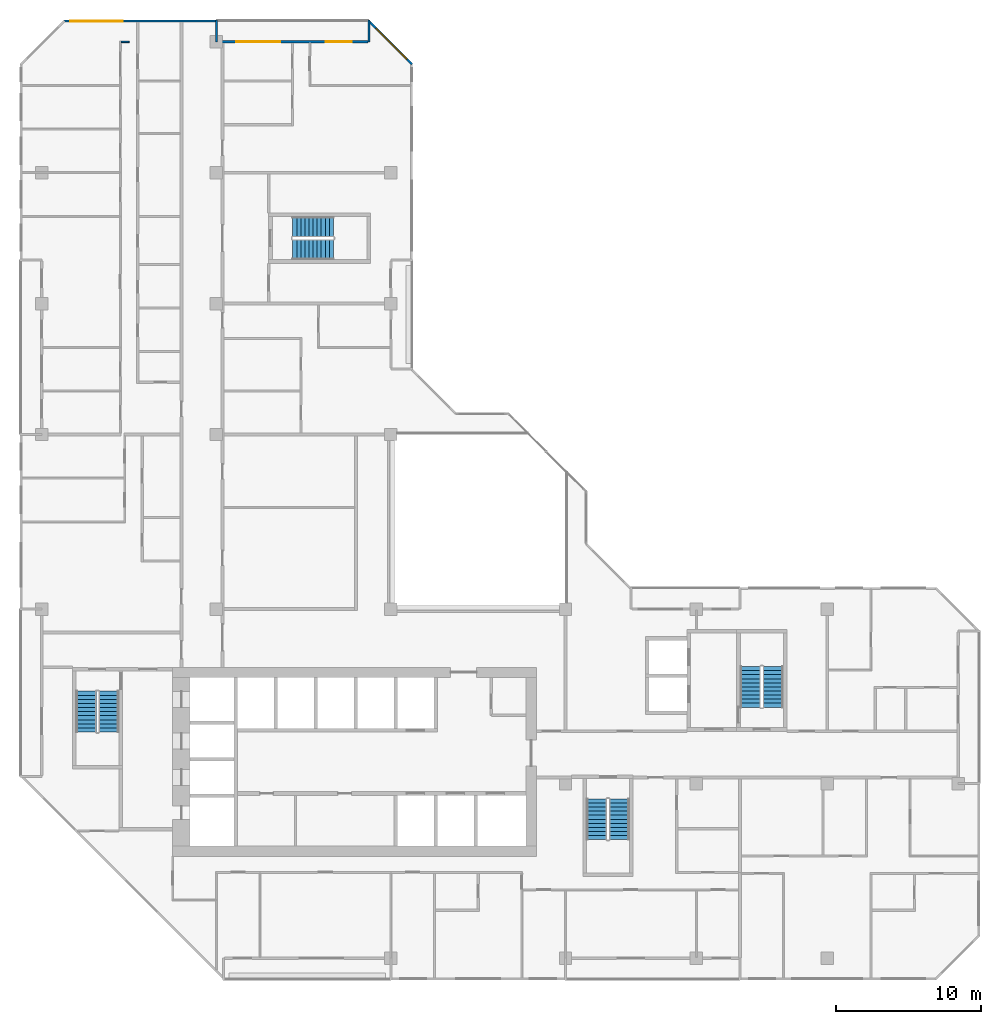
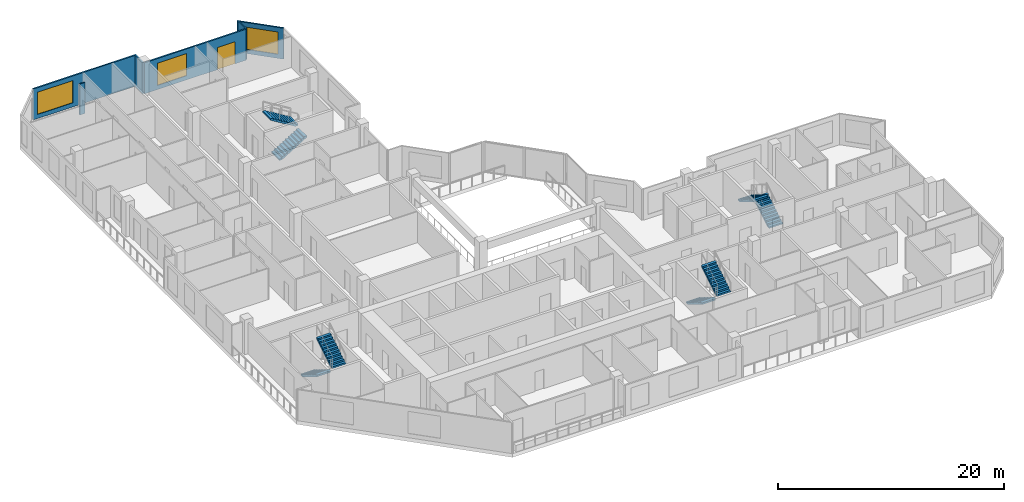
# One storey, part 13 of 15: 8 stair flights, 6 walls, 3 windows, 1 door, 4 openings, 4 elements without a shape of their own.
"""IFC4 building model written with IfcOpenShell, lengths in metres."""

import ifcopenshell
import ifcopenshell.guid

model = None  # the IFC model being written
_history = None  # IfcOwnerHistory: only IFC2X3 demands one
_inside = {}  # id of a spatial element -> (the spatial element, [elements in it])
_under = {}  # id of a project, library or spatial element -> (it, [spatial elements below it])
_declared = {}  # id of a project -> (the project, [libraries it declares])
_typed = {}  # id of a type object -> (the type object, [elements of that type])
_made_of = {}  # id of a material, layer set ... -> (it, [elements and type objects made of it])


def new_model(schema):
    """Start an empty IFC model of exactly this schema.

    Asked for "IFC4X3", IfcOpenShell would pick the latest addendum, in which some entities
    have other attributes; the version numbers below select the first issue.
    IFC2X3 requires an IfcOwnerHistory on every rooted entity: one is made here for all.
    """
    global model, _history
    if schema == "IFC4X3":
        model = ifcopenshell.file(schema_version=(4, 3, 0, 0))
    else:
        model = ifcopenshell.file(schema=schema)
    _inside.clear()
    _under.clear()
    _declared.clear()
    _typed.clear()
    _made_of.clear()
    _history = None
    if model.schema == "IFC2X3":
        org = make("IfcOrganization", Name="unknown")
        user = make(
            "IfcPersonAndOrganization",
            ThePerson=make("IfcPerson", FamilyName="unknown"),
            TheOrganization=org,
        )
        app = make(
            "IfcApplication",
            ApplicationDeveloper=org,
            Version="unknown",
            ApplicationFullName="unknown",
            ApplicationIdentifier="unknown",
        )
        _history = make(
            "IfcOwnerHistory",
            OwningUser=user,
            OwningApplication=app,
            ChangeAction="ADDED",
            CreationDate=0,
        )
    return model


def make(cls, **values):
    """One entity of the class cls with the attributes given. An attribute that is None is left unset."""
    return model.create_entity(
        cls, **{name: value for name, value in values.items() if value is not None}
    )


def rooted(cls, **values):
    """An entity with a GlobalId (a new one), such as an element, a storey or a relation."""
    return make(cls, GlobalId=ifcopenshell.guid.new(), OwnerHistory=_history, **values)


def si_unit(unit_type, name, prefix=None):
    """IfcSIUnit, for example si_unit("LENGTHUNIT", "METRE", prefix="MILLI")."""
    return make("IfcSIUnit", UnitType=unit_type, Prefix=prefix, Name=name)


def assignment(units):
    """IfcUnitAssignment: the units of a project."""
    return None if units is None else make("IfcUnitAssignment", Units=units)


def point(xyz):
    """IfcCartesianPoint."""
    return None if xyz is None else make("IfcCartesianPoint", Coordinates=xyz)


def direction(xyz):
    """IfcDirection."""
    return None if xyz is None else make("IfcDirection", DirectionRatios=xyz)


def frame(location, z_axis=None, x_axis=None):
    """IfcAxis2Placement3D, a coordinate frame: its origin and axes. An axis left out is left unset."""
    return make(
        "IfcAxis2Placement3D",
        Location=point(location),
        Axis=direction(z_axis),
        RefDirection=direction(x_axis),
    )


def frame_2d(location, x_axis=None):
    """IfcAxis2Placement2D, a coordinate frame in the plane: its origin and x axis."""
    return make(
        "IfcAxis2Placement2D", Location=point(location), RefDirection=direction(x_axis)
    )


def origin():
    """The frame at (0, 0, 0) with its axes left unset."""
    return frame((0.0, 0.0, 0.0))


def place(relative_to, where):
    """IfcLocalPlacement: puts the frame where relative to a parent placement (None: the world)."""
    return make(
        "IfcLocalPlacement", PlacementRelTo=relative_to, RelativePlacement=where
    )


def context(
    kind, dimensions, precision=None, world=None, true_north=None, identifier=None
):
    """IfcGeometricRepresentationContext, for example the 3D "Model" context."""
    return make(
        "IfcGeometricRepresentationContext",
        ContextIdentifier=identifier,
        ContextType=kind,
        CoordinateSpaceDimension=dimensions,
        Precision=precision,
        WorldCoordinateSystem=world,
        TrueNorth=true_north,
    )


def subcontext(parent, identifier, kind, view, scale=None):
    """IfcGeometricRepresentationSubContext, for example "Body" below "Model"."""
    return make(
        "IfcGeometricRepresentationSubContext",
        ContextIdentifier=identifier,
        ContextType=kind,
        ParentContext=parent,
        TargetScale=scale,
        TargetView=view,
    )


def project(units=None, contexts=None):
    """IfcProject with its units and contexts."""
    return rooted(
        "IfcProject",
        Name="project",
        RepresentationContexts=contexts,
        UnitsInContext=assignment(units),
    )


def spatial(cls, under=None, at=None, **own):
    """A site, building, storey or space (cls), placed at a placement, below another one or the project."""
    s = rooted(cls, ObjectPlacement=at, **own)
    if under is not None:
        _under.setdefault(under.id(), (under, []))[1].append(s)
    return s


def polyline(points):
    """IfcPolyline through the points."""
    return make("IfcPolyline", Points=[point(p) for p in points])


def profile(cls, at=None, kind="AREA", **sizes):
    """A parametric profile (cls). Its sizes go by their IFC names, for example OverallWidth=200.0."""
    return make(cls, ProfileType=kind, Position=at, **sizes)


def rectangle(**sizes):
    """IfcRectangleProfileDef."""
    return profile("IfcRectangleProfileDef", **sizes)


def outline(outer, holes=None, kind="AREA"):
    """IfcArbitraryClosedProfileDef: a profile drawn as a closed curve; with holes, ...WithVoids."""
    if holes is None:
        return make("IfcArbitraryClosedProfileDef", ProfileType=kind, OuterCurve=outer)
    return make(
        "IfcArbitraryProfileDefWithVoids",
        ProfileType=kind,
        OuterCurve=outer,
        InnerCurves=holes,
    )


def extrude(swept, where, along, depth):
    """IfcExtrudedAreaSolid: the profile swept, set in the frame where, extruded along a direction by depth."""
    return make(
        "IfcExtrudedAreaSolid",
        SweptArea=swept,
        Position=where,
        ExtrudedDirection=direction(along),
        Depth=depth,
    )


def shape(context_of_items, identifier, shape_type, items):
    """IfcShapeRepresentation: the items that make up one representation, for example the "Body"."""
    return make(
        "IfcShapeRepresentation",
        ContextOfItems=context_of_items,
        RepresentationIdentifier=identifier,
        RepresentationType=shape_type,
        Items=items,
    )


def material(Name=None, Category=None):
    """IfcMaterial."""
    return make("IfcMaterial", Name=Name, Category=Category)


def layer(
    of_material, thickness, ventilated=None, Name=None, Category=None, Priority=None
):
    """IfcMaterialLayer: one layer of a wall or slab, of a material (None: an air gap)."""
    return make(
        "IfcMaterialLayer",
        Material=of_material,
        LayerThickness=thickness,
        IsVentilated=ventilated,
        Name=Name,
        Category=Category,
        Priority=Priority,
    )


def layer_set(layers, Name=None):
    """IfcMaterialLayerSet."""
    return make("IfcMaterialLayerSet", MaterialLayers=layers, LayerSetName=Name)


def made_of(thing, what):
    """Note that an element or type object is made of a material, layer set ...; save() writes the relation."""
    if what is not None:
        _made_of.setdefault(what.id(), (what, []))[1].append(thing)
    return thing


def type_object(cls, material=None, **own):
    """A type object (cls), such as IfcWallType, which elements share."""
    return made_of(rooted(cls, **own), material)


def element(
    cls,
    number,
    at=None,
    inside=None,
    cuts=None,
    type_object=None,
    material=None,
    context=None,
    identifier="Body",
    shape_type=None,
    held_by="IfcProductDefinitionShape",
    body=None,
    shapes=None,
    **own,
):
    """One element of the class cls, such as IfcWall. Its Tag is "e" and its number.

    at: its placement. inside: the storey or other place that contains it. cuts: it is an
    opening in that element (IfcRelVoidsElement). A single representation is given by context,
    identifier, shape_type and body (its items); several are given by shapes. held_by: the class
    of the entity that holds the representations. save() writes the other relations.
    """
    e = rooted(cls, Tag="e%d" % number, ObjectPlacement=at, **own)
    if body is not None:
        shapes = [shape(context, identifier, shape_type, body)]
    if shapes is not None:
        e.Representation = make(held_by, Representations=shapes)
    if inside is not None:
        _inside.setdefault(inside.id(), (inside, []))[1].append(e)
    if cuts is not None:
        rooted(
            "IfcRelVoidsElement", RelatingBuildingElement=cuts, RelatedOpeningElement=e
        )
    if type_object is not None:
        _typed.setdefault(type_object.id(), (type_object, []))[1].append(e)
    return made_of(e, material)


def fill(opening, filler):
    """IfcRelFillsElement: the door or window that sits in an opening."""
    return rooted(
        "IfcRelFillsElement",
        RelatingOpeningElement=opening,
        RelatedBuildingElement=filler,
    )


def aggregate(whole, parts):
    """IfcRelAggregates: a whole, such as a stair, and the parts it consists of."""
    return rooted("IfcRelAggregates", RelatingObject=whole, RelatedObjects=parts)


def save(model, path):
    """Write the relations noted so far, then the file.

    IfcRelAggregates (storeys below a building ...), IfcRelContainedInSpatialStructure (elements
    in a storey), IfcRelDefinesByType, IfcRelAssociatesMaterial and IfcRelDeclares: one each for
    every whole, place, type object, material and project.
    """
    for whole, parts in _under.values():
        aggregate(whole, parts)
    for where, things in _inside.values():
        rooted(
            "IfcRelContainedInSpatialStructure",
            RelatedElements=things,
            RelatingStructure=where,
        )
    for kind, things in _typed.values():
        rooted("IfcRelDefinesByType", RelatedObjects=things, RelatingType=kind)
    for what, things in _made_of.values():
        rooted("IfcRelAssociatesMaterial", RelatedObjects=things, RelatingMaterial=what)
    for by, libraries in _declared.values():
        rooted("IfcRelDeclares", RelatingContext=by, RelatedDefinitions=libraries)
    model.write(path)


model = new_model("IFC4")

# Units and contexts
model_context = context("Model", 3, precision=1e-05, world=origin(), true_north=direction((0.0, 1.0)))
body_context = subcontext(model_context, "Body", "Model", "MODEL_VIEW")
ifc_project = project(units=[si_unit("LENGTHUNIT", "METRE"), si_unit("AREAUNIT", "SQUARE_METRE"), si_unit("VOLUMEUNIT", "CUBIC_METRE"), si_unit("PLANEANGLEUNIT", "RADIAN"), si_unit("MASSUNIT", "GRAM", prefix="KILO")], contexts=[model_context])

# Site, building, storey
site_placement = place(None, origin())
site = spatial("IfcSite", under=ifc_project, at=site_placement, CompositionType="ELEMENT")
building_placement = place(site_placement, origin())
building = spatial("IfcBuilding", under=site, at=building_placement, Name="Chenar Terraces", CompositionType="ELEMENT")
storey_placement = place(building_placement, frame((0.0, 0.0, 215.39990234375)))
storey = spatial("IfcBuildingStorey", under=building, at=storey_placement, Name="L50", CompositionType="ELEMENT", Elevation=215.39990234375)

# Wall, opening, window
ifc_material_1 = material(Name="Aluminium framed glazing", Category="aluminium")
ifc_layer_1 = layer(ifc_material_1, 0.14990234375)
ifc_layer_set_1 = layer_set([ifc_layer_1], Name="Aluminium framed glazing")
wall_type_1 = type_object("IfcWallType", Name="Glazed flush facade wall 150", PredefinedType="SOLIDWALL", material=ifc_layer_set_1)
wall_1_placement = place(storey_placement, frame((11.925048828125, 64.425048828125, 0.0), z_axis=(0.0, 0.0, 1.0), x_axis=(-1.0, 0.0, 0.0)))
wall_1 = element("IfcWall", 1, at=wall_1_placement, inside=storey, type_object=wall_type_1, Name="Glazed flush facade wall", PredefinedType="SOLIDWALL", context=body_context, shape_type="SweptSolid", body=[
    extrude(rectangle(XDim=10.425048828125, YDim=0.14990234375, at=frame_2d((5.21240234375, 0.0))), origin(), (0.0, 0.0, 1.0), 3.35009765625),
])
opening_1_placement = place(wall_1_placement, frame((6.375, 0.0, 0.449951171875)))
opening_1 = element("IfcOpeningElement", 2, at=opening_1_placement, cuts=wall_1, Name="Opening W360x240", PredefinedType="OPENING", context=body_context, shape_type="SweptSolid", body=[
    extrude(rectangle(XDim=3.60009765625, YDim=2.39990234375, at=frame_2d((1.800048828125, 1.199951171875))), frame((0.0, 0.0849609375, 0.0), z_axis=(0.0, -1.0, 0.0), x_axis=(1.0, 0.0, 0.0)), (0.0, 0.0, 1.0), 0.169921875),
])
ifc_material_2 = material(Name="Low emissivity double glazing, aluminium frame", Category="aluminium")
window_type_1 = type_object("IfcWindowType", Name="Fixed light 3600 x 2400", PartitioningType="SINGLE_PANEL", PredefinedType="WINDOW", material=ifc_material_2)
window_1_placement = place(opening_1_placement, origin())
window_1 = element("IfcWindow", 3, at=window_1_placement, inside=storey, type_object=window_type_1, Name="Window", OverallHeight=2.39990234375, OverallWidth=3.60009765625, PartitioningType="SINGLE_PANEL", PredefinedType="WINDOW", context=body_context, shape_type="SweptSolid", body=[
    extrude(rectangle(XDim=3.60009765625, YDim=2.39990234375, at=frame_2d((1.800048828125, 1.199951171875))), frame((0.0, 0.030029296875, 0.0), z_axis=(0.0, -1.0, 0.0), x_axis=(1.0, 0.0, 0.0)), (0.0, 0.0, 1.0), 0.06005859375),
])
fill(opening_1, window_1)

# Wall, openings, window, door
ifc_material_3 = material(Name="Aluminium framed glazing", Category="aluminium")
ifc_layer_2 = layer(ifc_material_3, 0.14990234375)
ifc_layer_set_2 = layer_set([ifc_layer_2], Name="Aluminium framed glazing")
wall_type_2 = type_object("IfcWallType", Name="Glazed loggia back wall 150", PredefinedType="SOLIDWALL", material=ifc_layer_set_2)
wall_2_placement = place(storey_placement, frame((22.425048828125, 63.0, 0.0), z_axis=(0.0, 0.0, 1.0), x_axis=(-1.0, 0.0, 0.0)))
wall_2 = element("IfcWall", 4, at=wall_2_placement, inside=storey, type_object=wall_type_2, Name="Glazed loggia back wall", PredefinedType="SOLIDWALL", context=body_context, shape_type="SweptSolid", body=[
    extrude(rectangle(XDim=10.35009765625, YDim=0.14990234375, at=frame_2d((5.175048828125, 0.0))), origin(), (0.0, 0.0, 1.0), 3.35009765625),
])
opening_2_placement = place(wall_2_placement, frame((1.10009765625, 0.0, 0.0)))
opening_2 = element("IfcOpeningElement", 5, at=opening_2_placement, cuts=wall_2, Name="Opening DL50-G2", PredefinedType="OPENING", context=body_context, shape_type="SweptSolid", body=[
    extrude(rectangle(XDim=1.800048828125, YDim=2.39990234375, at=frame_2d((0.89990234375, 1.199951171875))), frame((0.0, 0.0849609375, 0.0), z_axis=(0.0, -1.0, 0.0), x_axis=(1.0, 0.0, 0.0)), (0.0, 0.0, 1.0), 0.169921875),
])
opening_3_placement = place(wall_2_placement, frame((6.050048828125, 0.0, 0.449951171875)))
opening_3 = element("IfcOpeningElement", 6, at=opening_3_placement, cuts=wall_2, Name="Opening W300x240", PredefinedType="OPENING", context=body_context, shape_type="SweptSolid", body=[
    extrude(rectangle(XDim=3.0, YDim=2.39990234375, at=frame_2d((1.5, 1.199951171875))), frame((0.0, 0.0849609375, 0.0), z_axis=(0.0, -1.0, 0.0), x_axis=(1.0, 0.0, 0.0)), (0.0, 0.0, 1.0), 0.169921875),
])
ifc_material_4 = material(Name="Low emissivity double glazing, aluminium frame", Category="aluminium")
window_type_2 = type_object("IfcWindowType", Name="Fixed light 3000 x 2400", PartitioningType="SINGLE_PANEL", PredefinedType="WINDOW", material=ifc_material_4)
window_2_placement = place(opening_3_placement, origin())
window_2 = element("IfcWindow", 7, at=window_2_placement, inside=storey, type_object=window_type_2, Name="Window", OverallHeight=2.39990234375, OverallWidth=3.0, PartitioningType="SINGLE_PANEL", PredefinedType="WINDOW", context=body_context, shape_type="SweptSolid", body=[
    extrude(rectangle(XDim=3.0, YDim=2.39990234375, at=frame_2d((1.5, 1.199951171875))), frame((0.0, 0.030029296875, 0.0), z_axis=(0.0, -1.0, 0.0), x_axis=(1.0, 0.0, 0.0)), (0.0, 0.0, 1.0), 0.06005859375),
])
fill(opening_3, window_2)
ifc_material_5 = material(Name="Low emissivity double glazing, aluminium frame", Category="aluminium")
door_type = type_object("IfcDoorType", Name="Loggia glazed double door 1800 x 2400", OperationType="DOUBLE_DOOR_SINGLE_SWING", PredefinedType="DOOR", material=ifc_material_5)
door_placement = place(opening_2_placement, frame((1.800048828125, 0.0, 0.0), z_axis=(0.0, 0.0, 1.0), x_axis=(-1.0, 0.0, 0.0)))
door = element("IfcDoor", 8, at=door_placement, inside=storey, type_object=door_type, Name="Loggia glazed door", OperationType="DOUBLE_DOOR_SINGLE_SWING", OverallHeight=2.39990234375, OverallWidth=1.800048828125, PredefinedType="DOOR", context=body_context, shape_type="SweptSolid", body=[
    extrude(rectangle(XDim=1.800048828125, YDim=2.39990234375, at=frame_2d((0.89990234375, 1.199951171875))), frame((0.0, 0.02490234375, 0.0), z_axis=(0.0, -1.0, 0.0), x_axis=(1.0, 0.0, 0.0)), (0.0, 0.0, 1.0), 0.050048828125),
])
fill(opening_2, door)

# Walls
ifc_material_6 = material(Name="Gypsum board on steel studs", Category="steel")
ifc_layer_3 = layer(ifc_material_6, 0.10009765625)
ifc_layer_set_3 = layer_set([ifc_layer_3], Name="Gypsum board on steel studs")
wall_type_3 = type_object("IfcWallType", Name="Gypsum partition 100", PredefinedType="PARTITIONING", material=ifc_layer_set_3)
wall_3_placement = place(storey_placement, frame((5.449951171875, 63.0, 0.0), z_axis=(0.0, 0.0, 1.0), x_axis=(1.0, 0.0, 0.0)))
element("IfcWall", 9, at=wall_3_placement, inside=storey, type_object=wall_type_3, Name="Partition L50-014", PredefinedType="PARTITIONING", context=body_context, shape_type="SweptSolid", body=[
    extrude(rectangle(XDim=0.550048828125, YDim=0.10009765625, at=frame_2d((0.27490234375, 0.0))), origin(), (0.0, 0.0, 1.0), 3.35009765625),
])
ifc_material_7 = material(Name="Terracotta cladding on insulated backing", Category="masonry")
ifc_layer_4 = layer(ifc_material_7, 0.14990234375)
ifc_layer_set_4 = layer_set([ifc_layer_4], Name="Terracotta cladding on insulated backing")
wall_type_4 = type_object("IfcWallType", Name="Loggia return wall 150", PredefinedType="SOLIDWALL", material=ifc_layer_set_4)
for number, where, z_axis, x_axis, name in (
    (10, (22.5, 64.5, 0.0), (0.0, 0.0, 1.0), (0.0, -1.0, 0.0), "Loggia return wall"),
    (11, (12.0, 64.5, 0.0), (0.0, 0.0, 1.0), (0.0, -1.0, 0.0), "Loggia return wall"),
):
    element("IfcWall", number, at=place(storey_placement, frame(where, z_axis=z_axis, x_axis=x_axis)), inside=storey, type_object=wall_type_4, Name=name, PredefinedType="SOLIDWALL", context=body_context, shape_type="SweptSolid", body=[
        extrude(rectangle(XDim=1.5, YDim=0.14990234375, at=frame_2d((0.75, 0.0))), origin(), (0.0, 0.0, 1.0), 3.35009765625),
    ])

# Wall, opening, window
ifc_material_8 = material(Name="Terracotta cladding on insulated backing", Category="masonry")
ifc_layer_5 = layer(ifc_material_8, 0.14990234375)
ifc_layer_set_5 = layer_set([ifc_layer_5], Name="Terracotta cladding on insulated backing")
wall_type_5 = type_object("IfcWallType", Name="Terracotta rainscreen wall 150", PredefinedType="SOLIDWALL", material=ifc_layer_set_5)
wall_4_placement = place(storey_placement, frame((25.447021484375, 61.447021484375, 0.0), z_axis=(0.0, 0.0, 1.0), x_axis=(-0.707106781187, 0.707106781187, 0.0)))
wall_4 = element("IfcWall", 12, at=wall_4_placement, inside=storey, type_object=wall_type_5, Name="Terracotta rainscreen wall", PredefinedType="SOLIDWALL", context=body_context, shape_type="SweptSolid", body=[
    extrude(rectangle(XDim=4.24267578125, YDim=0.14990234375, at=frame_2d((2.121337890625, 0.0))), origin(), (0.0, 0.0, 1.0), 3.35009765625),
])
opening_4_placement = place(wall_4_placement, frame((0.498046875, 0.0, 0.449951171875)))
opening_4 = element("IfcOpeningElement", 13, at=opening_4_placement, cuts=wall_4, Name="Opening W300x240", PredefinedType="OPENING", context=body_context, shape_type="SweptSolid", body=[
    extrude(rectangle(XDim=3.0, YDim=2.39990234375, at=frame_2d((1.5, 1.199951171875))), frame((0.0, 0.0849609375, 0.0), z_axis=(0.0, -1.0, 0.0), x_axis=(1.0, 0.0, 0.0)), (0.0, 0.0, 1.0), 0.169921875),
])
window_3_placement = place(opening_4_placement, origin())
window_3 = element("IfcWindow", 14, at=window_3_placement, inside=storey, type_object=window_type_2, Name="Window", OverallHeight=2.39990234375, OverallWidth=3.0, PartitioningType="SINGLE_PANEL", PredefinedType="WINDOW", context=body_context, shape_type="SweptSolid", body=[
    extrude(rectangle(XDim=3.0, YDim=2.39990234375, at=frame_2d((1.5, 1.199951171875))), frame((0.0, 0.030029296875, 0.0), z_axis=(0.0, -1.0, 0.0), x_axis=(1.0, 0.0, 0.0)), (0.0, 0.0, 1.0), 0.06005859375),
])
fill(opening_4, window_3)

# Stair, stair flights
ifc_material_9 = material(Name="Reinforced concrete C40/50", Category="concrete")
stair_type = type_object("IfcStairType", Name="Core stair 1400 half-turn", PredefinedType="HALF_TURN_STAIR", material=ifc_material_9)
placement = place(storey_placement, origin())
stair_1 = element("IfcStair", 15, at=placement, inside=storey, type_object=stair_type, Name="L50 Stair 1", PredefinedType="HALF_TURN_STAIR")
ifc_material_10 = material(Name="Reinforced concrete C40/50", Category="concrete")
stair_flight_type = type_object("IfcStairFlightType", Name="Core stair flight 1400", PredefinedType="STRAIGHT", material=ifc_material_10)
stair_flight_1_placement = place(storey_placement, frame((3.050048828125, 18.35009765625, 0.0), z_axis=(0.0, 0.0, 1.0), x_axis=(0.0, -1.0, 0.0)))
stair_flight_1 = element("IfcStairFlight", 16, at=stair_flight_1_placement, type_object=stair_flight_type, Name="ST1 flight 1", NumberOfRisers=11, NumberOfTreads=10, PredefinedType="STRAIGHT", RiserHeight=0.170454545, TreadLength=0.28, context=body_context, shape_type="SweptSolid", body=[
    extrude(outline(polyline([(-0.0029296875, 0.0), (-0.0029296875, 0.17041015625), (0.0, 0.17041015625), (0.280029296875, 0.17041015625), (0.280029296875, 0.3408203125), (0.56005859375, 0.3408203125), (0.56005859375, 0.511474609375), (0.840087890625, 0.511474609375), (0.840087890625, 0.681884765625), (1.1201171875, 0.681884765625), (1.1201171875, 0.852294921875), (1.39990234375, 0.852294921875), (1.39990234375, 1.022705078125), (1.679931640625, 1.022705078125), (1.679931640625, 1.193115234375), (1.9599609375, 1.193115234375), (1.9599609375, 1.363525390625), (2.239990234375, 1.363525390625), (2.239990234375, 1.5341796875), (2.52001953125, 1.5341796875), (2.52001953125, 1.70458984375), (2.800048828125, 1.70458984375), (2.802978515625, 1.70458984375), (2.802978515625, 1.529052734375), (2.800048828125, 1.529052734375), (0.288330078125, 0.0), (-0.0029296875, 0.0)])), frame((0.0, 0.699951171875, 0.0), z_axis=(0.0, -1.0, 0.0), x_axis=(1.0, 0.0, 0.0)), (0.0, 0.0, 1.0), 1.39990234375),
])
stair_flight_2_placement = place(storey_placement, frame((4.60009765625, 15.550048828125, 1.875), z_axis=(0.0, 0.0, 1.0), x_axis=(0.0, 1.0, 0.0)))
stair_flight_2 = element("IfcStairFlight", 17, at=stair_flight_2_placement, type_object=stair_flight_type, Name="ST1 flight 2", NumberOfRisers=11, NumberOfTreads=10, PredefinedType="STRAIGHT", RiserHeight=0.170454545, TreadLength=0.28, context=body_context, shape_type="SweptSolid", body=[
    extrude(outline(polyline([(-0.0029296875, 0.0), (-0.0029296875, 0.17041015625), (0.0, 0.17041015625), (0.280029296875, 0.17041015625), (0.280029296875, 0.3408203125), (0.56005859375, 0.3408203125), (0.56005859375, 0.511474609375), (0.840087890625, 0.511474609375), (0.840087890625, 0.681884765625), (1.1201171875, 0.681884765625), (1.1201171875, 0.852294921875), (1.39990234375, 0.852294921875), (1.39990234375, 1.022705078125), (1.679931640625, 1.022705078125), (1.679931640625, 1.193115234375), (1.9599609375, 1.193115234375), (1.9599609375, 1.363525390625), (2.239990234375, 1.363525390625), (2.239990234375, 1.5341796875), (2.52001953125, 1.5341796875), (2.52001953125, 1.70458984375), (2.800048828125, 1.70458984375), (2.802978515625, 1.70458984375), (2.802978515625, 1.529052734375), (2.800048828125, 1.529052734375), (0.288330078125, 0.0), (-0.0029296875, 0.0)])), frame((0.0, 0.699951171875, 0.0), z_axis=(0.0, -1.0, 0.0), x_axis=(1.0, 0.0, 0.0)), (0.0, 0.0, 1.0), 1.39990234375),
])
aggregate(stair_1, [stair_flight_1, stair_flight_2])

stair_2 = element("IfcStair", 18, at=placement, inside=storey, type_object=stair_type, Name="L50 Stair 2", PredefinedType="HALF_TURN_STAIR")
stair_flight_3_placement = place(storey_placement, frame((38.14990234375, 10.949951171875, 0.0), z_axis=(0.0, 0.0, 1.0), x_axis=(0.0, -1.0, 0.0)))
stair_flight_3 = element("IfcStairFlight", 19, at=stair_flight_3_placement, type_object=stair_flight_type, Name="ST2 flight 1", NumberOfRisers=11, NumberOfTreads=10, PredefinedType="STRAIGHT", RiserHeight=0.170454545, TreadLength=0.28, context=body_context, shape_type="SweptSolid", body=[
    extrude(outline(polyline([(-0.0029296875, 0.0), (-0.0029296875, 0.17041015625), (0.0, 0.17041015625), (0.280029296875, 0.17041015625), (0.280029296875, 0.3408203125), (0.56005859375, 0.3408203125), (0.56005859375, 0.511474609375), (0.840087890625, 0.511474609375), (0.840087890625, 0.681884765625), (1.1201171875, 0.681884765625), (1.1201171875, 0.852294921875), (1.39990234375, 0.852294921875), (1.39990234375, 1.022705078125), (1.679931640625, 1.022705078125), (1.679931640625, 1.193115234375), (1.9599609375, 1.193115234375), (1.9599609375, 1.363525390625), (2.239990234375, 1.363525390625), (2.239990234375, 1.5341796875), (2.52001953125, 1.5341796875), (2.52001953125, 1.70458984375), (2.800048828125, 1.70458984375), (2.802978515625, 1.70458984375), (2.802978515625, 1.529052734375), (2.800048828125, 1.529052734375), (0.288330078125, 0.0), (-0.0029296875, 0.0)])), frame((0.0, 0.699951171875, 0.0), z_axis=(0.0, -1.0, 0.0), x_axis=(1.0, 0.0, 0.0)), (0.0, 0.0, 1.0), 1.39990234375),
])
stair_flight_4_placement = place(storey_placement, frame((39.699951171875, 8.14990234375, 1.875), z_axis=(0.0, 0.0, 1.0), x_axis=(0.0, 1.0, 0.0)))
stair_flight_4 = element("IfcStairFlight", 20, at=stair_flight_4_placement, type_object=stair_flight_type, Name="ST2 flight 2", NumberOfRisers=11, NumberOfTreads=10, PredefinedType="STRAIGHT", RiserHeight=0.170454545, TreadLength=0.28, context=body_context, shape_type="SweptSolid", body=[
    extrude(outline(polyline([(-0.0029296875, 0.0), (-0.0029296875, 0.17041015625), (0.0, 0.17041015625), (0.280029296875, 0.17041015625), (0.280029296875, 0.3408203125), (0.56005859375, 0.3408203125), (0.56005859375, 0.511474609375), (0.840087890625, 0.511474609375), (0.840087890625, 0.681884765625), (1.1201171875, 0.681884765625), (1.1201171875, 0.852294921875), (1.39990234375, 0.852294921875), (1.39990234375, 1.022705078125), (1.679931640625, 1.022705078125), (1.679931640625, 1.193115234375), (1.9599609375, 1.193115234375), (1.9599609375, 1.363525390625), (2.239990234375, 1.363525390625), (2.239990234375, 1.5341796875), (2.52001953125, 1.5341796875), (2.52001953125, 1.70458984375), (2.800048828125, 1.70458984375), (2.802978515625, 1.70458984375), (2.802978515625, 1.529052734375), (2.800048828125, 1.529052734375), (0.288330078125, 0.0), (-0.0029296875, 0.0)])), frame((0.0, 0.699951171875, 0.0), z_axis=(0.0, -1.0, 0.0), x_axis=(1.0, 0.0, 0.0)), (0.0, 0.0, 1.0), 1.39990234375),
])
aggregate(stair_2, [stair_flight_3, stair_flight_4])

stair_3 = element("IfcStair", 21, at=placement, inside=storey, type_object=stair_type, Name="L50 Stair 3", PredefinedType="HALF_TURN_STAIR")
stair_flight_5_placement = place(storey_placement, frame((50.27490234375, 17.25, 0.0), z_axis=(0.0, 0.0, 1.0), x_axis=(0.0, 1.0, 0.0)))
stair_flight_5 = element("IfcStairFlight", 22, at=stair_flight_5_placement, type_object=stair_flight_type, Name="ST3 flight 1", NumberOfRisers=11, NumberOfTreads=10, PredefinedType="STRAIGHT", RiserHeight=0.170454545, TreadLength=0.28, context=body_context, shape_type="SweptSolid", body=[
    extrude(outline(polyline([(-0.0029296875, 0.0), (-0.0029296875, 0.17041015625), (0.0, 0.17041015625), (0.280029296875, 0.17041015625), (0.280029296875, 0.3408203125), (0.56005859375, 0.3408203125), (0.56005859375, 0.511474609375), (0.840087890625, 0.511474609375), (0.840087890625, 0.681884765625), (1.1201171875, 0.681884765625), (1.1201171875, 0.852294921875), (1.39990234375, 0.852294921875), (1.39990234375, 1.022705078125), (1.679931640625, 1.022705078125), (1.679931640625, 1.193115234375), (1.9599609375, 1.193115234375), (1.9599609375, 1.363525390625), (2.239990234375, 1.363525390625), (2.239990234375, 1.5341796875), (2.52001953125, 1.5341796875), (2.52001953125, 1.70458984375), (2.800048828125, 1.70458984375), (2.802978515625, 1.70458984375), (2.802978515625, 1.529052734375), (2.800048828125, 1.529052734375), (0.288330078125, 0.0), (-0.0029296875, 0.0)])), frame((0.0, 0.699951171875, 0.0), z_axis=(0.0, -1.0, 0.0), x_axis=(1.0, 0.0, 0.0)), (0.0, 0.0, 1.0), 1.39990234375),
])
stair_flight_6_placement = place(storey_placement, frame((48.72509765625, 20.050048828125, 1.875), z_axis=(0.0, 0.0, 1.0), x_axis=(0.0, -1.0, 0.0)))
stair_flight_6 = element("IfcStairFlight", 23, at=stair_flight_6_placement, type_object=stair_flight_type, Name="ST3 flight 2", NumberOfRisers=11, NumberOfTreads=10, PredefinedType="STRAIGHT", RiserHeight=0.170454545, TreadLength=0.28, context=body_context, shape_type="SweptSolid", body=[
    extrude(outline(polyline([(-0.0029296875, 0.0), (-0.0029296875, 0.17041015625), (0.0, 0.17041015625), (0.280029296875, 0.17041015625), (0.280029296875, 0.3408203125), (0.56005859375, 0.3408203125), (0.56005859375, 0.511474609375), (0.840087890625, 0.511474609375), (0.840087890625, 0.681884765625), (1.1201171875, 0.681884765625), (1.1201171875, 0.852294921875), (1.39990234375, 0.852294921875), (1.39990234375, 1.022705078125), (1.679931640625, 1.022705078125), (1.679931640625, 1.193115234375), (1.9599609375, 1.193115234375), (1.9599609375, 1.363525390625), (2.239990234375, 1.363525390625), (2.239990234375, 1.5341796875), (2.52001953125, 1.5341796875), (2.52001953125, 1.70458984375), (2.800048828125, 1.70458984375), (2.802978515625, 1.70458984375), (2.802978515625, 1.529052734375), (2.800048828125, 1.529052734375), (0.288330078125, 0.0), (-0.0029296875, 0.0)])), frame((0.0, 0.699951171875, 0.0), z_axis=(0.0, -1.0, 0.0), x_axis=(1.0, 0.0, 0.0)), (0.0, 0.0, 1.0), 1.39990234375),
])
aggregate(stair_3, [stair_flight_5, stair_flight_6])

stair_4 = element("IfcStair", 24, at=placement, inside=storey, type_object=stair_type, Name="L50 Stair 4", PredefinedType="HALF_TURN_STAIR")
stair_flight_7_placement = place(storey_placement, frame((17.25, 48.72509765625, 0.0), z_axis=(0.0, 0.0, 1.0), x_axis=(1.0, 0.0, 0.0)))
stair_flight_7 = element("IfcStairFlight", 25, at=stair_flight_7_placement, type_object=stair_flight_type, Name="ST4 flight 1", NumberOfRisers=11, NumberOfTreads=10, PredefinedType="STRAIGHT", RiserHeight=0.170454545, TreadLength=0.28, context=body_context, shape_type="SweptSolid", body=[
    extrude(outline(polyline([(-0.0029296875, 0.0), (-0.0029296875, 0.17041015625), (0.0, 0.17041015625), (0.280029296875, 0.17041015625), (0.280029296875, 0.3408203125), (0.56005859375, 0.3408203125), (0.56005859375, 0.511474609375), (0.840087890625, 0.511474609375), (0.840087890625, 0.681884765625), (1.1201171875, 0.681884765625), (1.1201171875, 0.852294921875), (1.39990234375, 0.852294921875), (1.39990234375, 1.022705078125), (1.679931640625, 1.022705078125), (1.679931640625, 1.193115234375), (1.9599609375, 1.193115234375), (1.9599609375, 1.363525390625), (2.239990234375, 1.363525390625), (2.239990234375, 1.5341796875), (2.52001953125, 1.5341796875), (2.52001953125, 1.70458984375), (2.800048828125, 1.70458984375), (2.802978515625, 1.70458984375), (2.802978515625, 1.529052734375), (2.800048828125, 1.529052734375), (0.288330078125, 0.0), (-0.0029296875, 0.0)])), frame((0.0, 0.699951171875, 0.0), z_axis=(0.0, -1.0, 0.0), x_axis=(1.0, 0.0, 0.0)), (0.0, 0.0, 1.0), 1.39990234375),
])
stair_flight_8_placement = place(storey_placement, frame((20.050048828125, 50.27490234375, 1.875), z_axis=(0.0, 0.0, 1.0), x_axis=(-1.0, 0.0, 0.0)))
stair_flight_8 = element("IfcStairFlight", 26, at=stair_flight_8_placement, type_object=stair_flight_type, Name="ST4 flight 2", NumberOfRisers=11, NumberOfTreads=10, PredefinedType="STRAIGHT", RiserHeight=0.170454545, TreadLength=0.28, context=body_context, shape_type="SweptSolid", body=[
    extrude(outline(polyline([(-0.0029296875, 0.0), (-0.0029296875, 0.17041015625), (0.0, 0.17041015625), (0.280029296875, 0.17041015625), (0.280029296875, 0.3408203125), (0.56005859375, 0.3408203125), (0.56005859375, 0.511474609375), (0.840087890625, 0.511474609375), (0.840087890625, 0.681884765625), (1.1201171875, 0.681884765625), (1.1201171875, 0.852294921875), (1.39990234375, 0.852294921875), (1.39990234375, 1.022705078125), (1.679931640625, 1.022705078125), (1.679931640625, 1.193115234375), (1.9599609375, 1.193115234375), (1.9599609375, 1.363525390625), (2.239990234375, 1.363525390625), (2.239990234375, 1.5341796875), (2.52001953125, 1.5341796875), (2.52001953125, 1.70458984375), (2.800048828125, 1.70458984375), (2.802978515625, 1.70458984375), (2.802978515625, 1.529052734375), (2.800048828125, 1.529052734375), (0.288330078125, 0.0), (-0.0029296875, 0.0)])), frame((0.0, 0.699951171875, 0.0), z_axis=(0.0, -1.0, 0.0), x_axis=(1.0, 0.0, 0.0)), (0.0, 0.0, 1.0), 1.39990234375),
])
aggregate(stair_4, [stair_flight_7, stair_flight_8])

save(model, "model.ifc")
